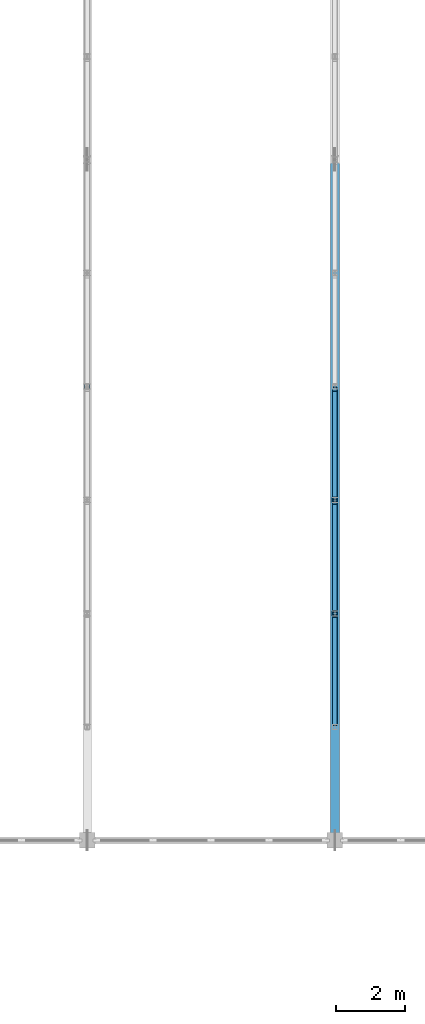
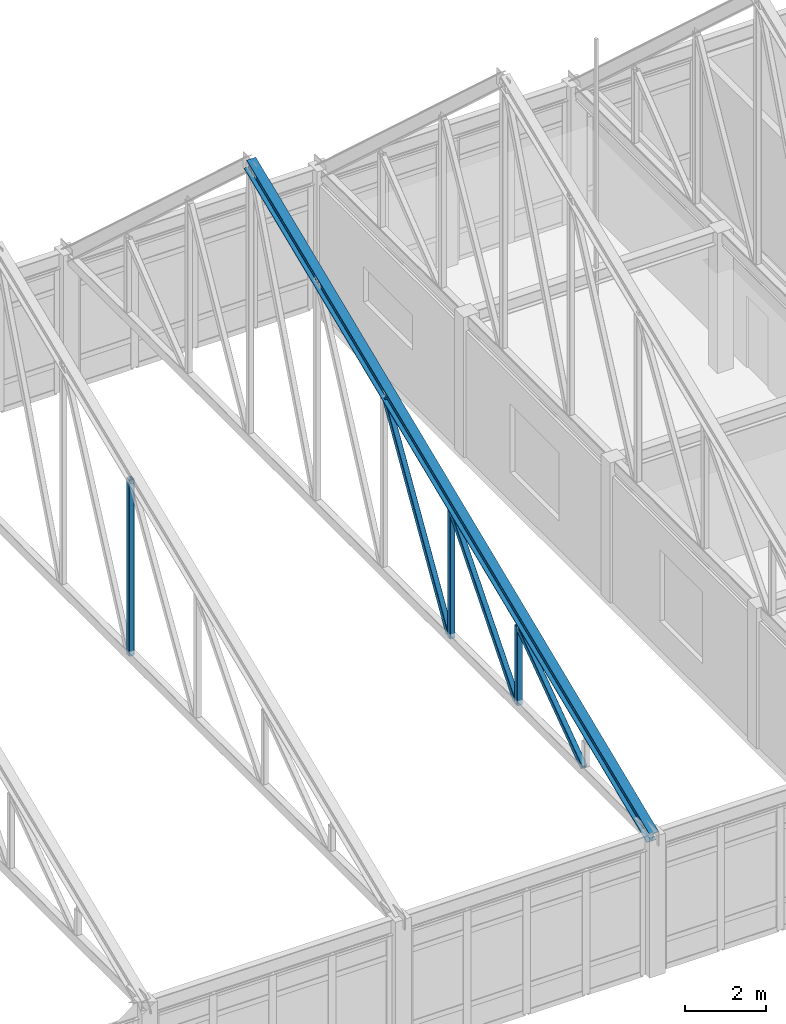
# One storey, part 26 of 136: 7 members.
"""IFC4 building model written with IfcOpenShell, lengths in metres."""

from ifc_helpers import new_model, si_unit, direction, frame, origin, origin_2d, place, context, subcontext, project, spatial, hollow_rectangle, i_section, extrude, material, material_profile, profile_set, type_object, element, save


model = new_model("IFC4")

# Units and contexts
model_context = context("Model", 3, precision=1e-05, world=origin(), true_north=direction((0.0, 1.0)))
body_context = subcontext(model_context, "Body", "Model", "MODEL_VIEW")
ifc_project = project(units=[si_unit("LENGTHUNIT", "METRE"), si_unit("AREAUNIT", "SQUARE_METRE"), si_unit("VOLUMEUNIT", "CUBIC_METRE"), si_unit("PLANEANGLEUNIT", "RADIAN"), si_unit("MASSUNIT", "GRAM", prefix="KILO")], contexts=[model_context])

# Site, building, storey
site_placement = place(None, origin())
site = spatial("IfcSite", under=ifc_project, at=site_placement, CompositionType="ELEMENT")
building_placement = place(site_placement, origin())
building = spatial("IfcBuilding", under=site, at=building_placement, Name="Koriwan Promenade Central Fire Station", CompositionType="ELEMENT")
storey_placement = place(building_placement, frame((0.0, 0.0, 5.39990234375)))
storey = spatial("IfcBuildingStorey", under=building, at=storey_placement, Name="L01", CompositionType="ELEMENT", Elevation=5.39990234375)

# Members
ifc_material_1 = material(Name="Steel ASTM A992 Grade 50", Category="steel")
ifc_material_profile_1 = material_profile(ifc_material_1, i_section(OverallWidth=0.257080078125, OverallDepth=0.363037109375, WebThickness=0.012939453125, FlangeThickness=0.021728515625, FilletRadius=0.014892578125, at=origin_2d()), Name="W360x122")
ifc_profile_set_1 = profile_set([ifc_material_profile_1], Name="Steel ASTM A992 Grade 50")
member_type_1 = type_object("IfcMemberType", Name="Member_CHORD_W360x122", PredefinedType="CHORD", material=ifc_profile_set_1)
member_1_placement = place(storey_placement, frame((93.60009765625, 43.199951171875, 4.02001953125), z_axis=(0.0, 0.923565717983, 0.383440170777), x_axis=(-1.0, 0.0, 0.0)))
element("IfcMember", 1, at=member_1_placement, inside=storey, type_object=member_type_1, Name="TR_V1_06 south top chord", PredefinedType="CHORD", context=body_context, shape_type="SweptSolid", body=[
    extrude(i_section(OverallWidth=0.257080078125, OverallDepth=0.363037109375, WebThickness=0.012939453125, FlangeThickness=0.021728515625, FilletRadius=0.014892578125, at=origin_2d()), origin(), (0.0, 0.0, 1.0), 21.438720703125),
])
ifc_material_2 = material(Name="Steel ASTM A500 Grade C", Category="steel")
ifc_material_profile_2 = material_profile(ifc_material_2, hollow_rectangle(XDim=0.14990234375, YDim=0.14990234375, WallThickness=0.008056640625, InnerFilletRadius=0.008056640625, OuterFilletRadius=0.01611328125, at=origin_2d()), Name="HSS150x150x8")
ifc_profile_set_2 = profile_set([ifc_material_profile_2], Name="Steel ASTM A500 Grade C")
member_type_2 = type_object("IfcMemberType", Name="Member_STRUT_HSS150x150x8", PredefinedType="STRUT", material=ifc_profile_set_2)
member_2_placement = place(storey_placement, frame((86.39990234375, 56.39990234375, 4.02001953125), z_axis=(0.0, 0.0, 1.0), x_axis=(1.0, 0.0, 0.0)))
element("IfcMember", 2, at=member_2_placement, inside=storey, type_object=member_type_2, Name="TR_V1_05 vertical 4", PredefinedType="STRUT", context=body_context, shape_type="SweptSolid", body=[
    extrude(hollow_rectangle(XDim=0.14990234375, YDim=0.14990234375, WallThickness=0.008056640625, InnerFilletRadius=0.008056640625, OuterFilletRadius=0.01611328125, at=origin_2d()), origin(), (0.0, 0.0, 1.0), 5.287109375),
])
member_3_placement = place(storey_placement, frame((93.60009765625, 49.800048828125, 4.02001953125), z_axis=(0.0, 0.0, 1.0), x_axis=(1.0, 0.0, 0.0)))
element("IfcMember", 3, at=member_3_placement, inside=storey, type_object=member_type_2, Name="TR_V1_06 vertical 2", PredefinedType="STRUT", context=body_context, shape_type="SweptSolid", body=[
    extrude(hollow_rectangle(XDim=0.14990234375, YDim=0.14990234375, WallThickness=0.008056640625, InnerFilletRadius=0.008056640625, OuterFilletRadius=0.01611328125, at=origin_2d()), origin(), (0.0, 0.0, 1.0), 2.353759765625),
])
member_4_placement = place(storey_placement, frame((93.60009765625, 53.10009765625, 4.02001953125), z_axis=(0.0, 0.0, 1.0), x_axis=(1.0, 0.0, 0.0)))
element("IfcMember", 4, at=member_4_placement, inside=storey, type_object=member_type_2, Name="TR_V1_06 vertical 3", PredefinedType="STRUT", context=body_context, shape_type="SweptSolid", body=[
    extrude(hollow_rectangle(XDim=0.14990234375, YDim=0.14990234375, WallThickness=0.008056640625, InnerFilletRadius=0.008056640625, OuterFilletRadius=0.01611328125, at=origin_2d()), origin(), (0.0, 0.0, 1.0), 3.8203125),
])
member_5_placement = place(storey_placement, frame((93.60009765625, 46.580078125, 4.070068359375), z_axis=(0.0, 0.812399692359, 0.583100968834), x_axis=(-1.0, 0.0, 0.0)))
element("IfcMember", 5, at=member_5_placement, inside=storey, type_object=member_type_2, Name="TR_V1_06 web diagonal 2", PredefinedType="STRUT", context=body_context, shape_type="SweptSolid", body=[
    extrude(hollow_rectangle(XDim=0.14990234375, YDim=0.14990234375, WallThickness=0.008056640625, InnerFilletRadius=0.008056640625, OuterFilletRadius=0.01611328125, at=origin_2d()), origin(), (0.0, 0.0, 1.0), 3.864990234375),
])
member_6_placement = place(storey_placement, frame((93.60009765625, 49.8798828125, 4.070068359375), z_axis=(0.0, 0.645015567138, 0.764169430264), x_axis=(-1.0, 0.0, 0.0)))
element("IfcMember", 6, at=member_6_placement, inside=storey, type_object=member_type_2, Name="TR_V1_06 web diagonal 3", PredefinedType="STRUT", context=body_context, shape_type="SweptSolid", body=[
    extrude(hollow_rectangle(XDim=0.14990234375, YDim=0.14990234375, WallThickness=0.008056640625, InnerFilletRadius=0.008056640625, OuterFilletRadius=0.01611328125, at=origin_2d()), origin(), (0.0, 0.0, 1.0), 4.868408203125),
])
member_7_placement = place(storey_placement, frame((93.60009765625, 53.179931640625, 4.070068359375), z_axis=(0.0, 0.517878675353, 0.855454076859), x_axis=(-1.0, 0.0, 0.0)))
element("IfcMember", 7, at=member_7_placement, inside=storey, type_object=member_type_2, Name="TR_V1_06 web diagonal 4", PredefinedType="STRUT", context=body_context, shape_type="SweptSolid", body=[
    extrude(hollow_rectangle(XDim=0.14990234375, YDim=0.14990234375, WallThickness=0.008056640625, InnerFilletRadius=0.008056640625, OuterFilletRadius=0.01611328125, at=origin_2d()), origin(), (0.0, 0.0, 1.0), 6.0634765625),
])

save(model, "model.ifc")
